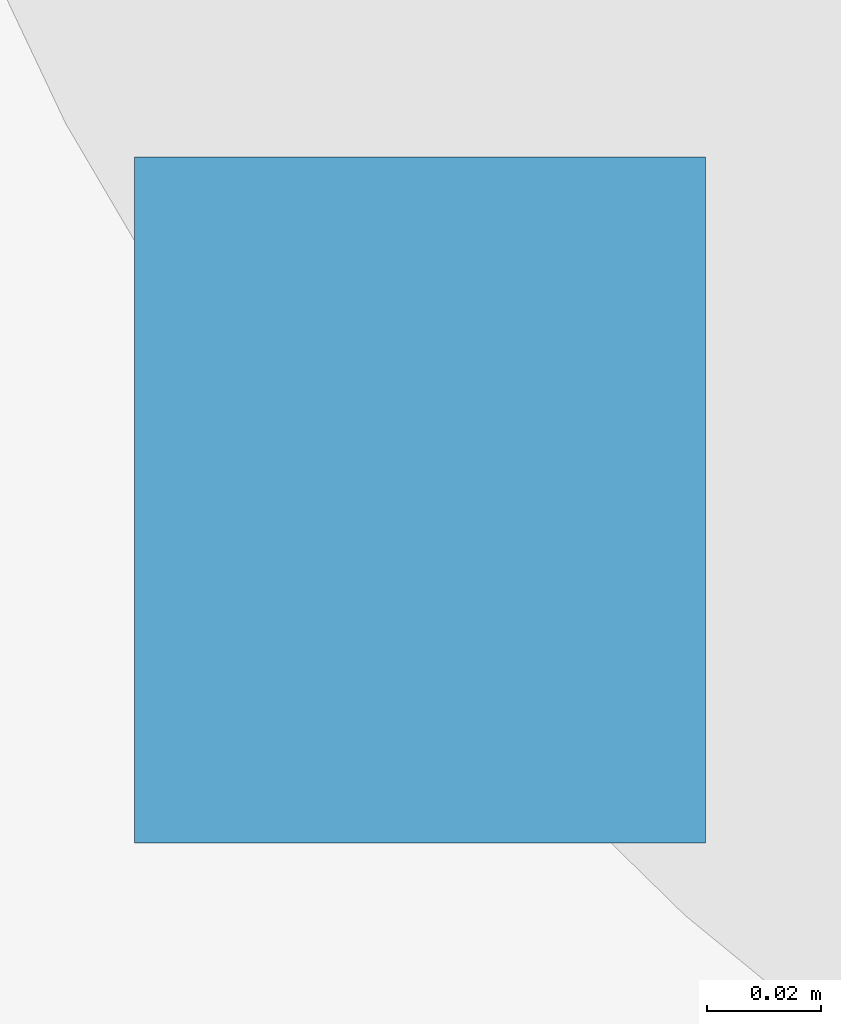
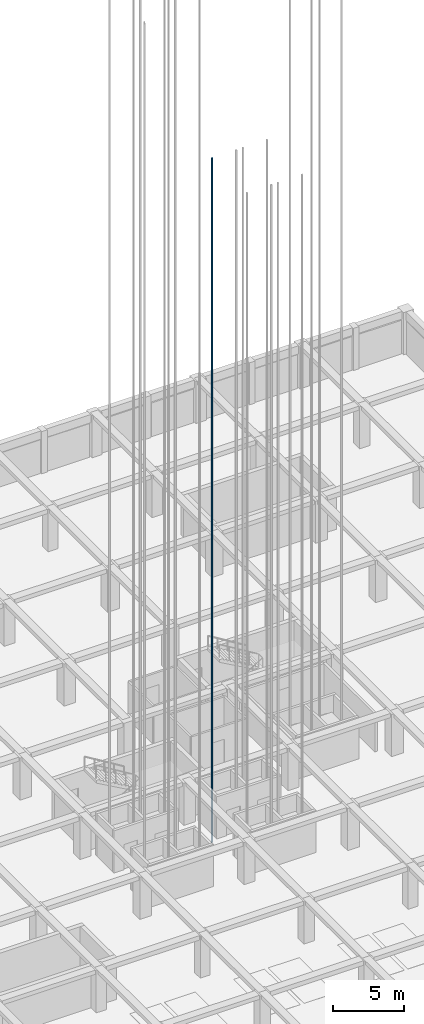
# One storey, part 37 of 47: 1 discrete accessory.
"""IFC4 building model written with IfcOpenShell, lengths in metres."""

import ifcopenshell
import ifcopenshell.guid

model = None  # the IFC model being written
_history = None  # IfcOwnerHistory: only IFC2X3 demands one
_inside = {}  # id of a spatial element -> (the spatial element, [elements in it])
_under = {}  # id of a project, library or spatial element -> (it, [spatial elements below it])
_declared = {}  # id of a project -> (the project, [libraries it declares])
_typed = {}  # id of a type object -> (the type object, [elements of that type])
_made_of = {}  # id of a material, layer set ... -> (it, [elements and type objects made of it])


def new_model(schema):
    """Start an empty IFC model of exactly this schema.

    Asked for "IFC4X3", IfcOpenShell would pick the latest addendum, in which some entities
    have other attributes; the version numbers below select the first issue.
    IFC2X3 requires an IfcOwnerHistory on every rooted entity: one is made here for all.
    """
    global model, _history
    if schema == "IFC4X3":
        model = ifcopenshell.file(schema_version=(4, 3, 0, 0))
    else:
        model = ifcopenshell.file(schema=schema)
    _inside.clear()
    _under.clear()
    _declared.clear()
    _typed.clear()
    _made_of.clear()
    _history = None
    if model.schema == "IFC2X3":
        org = make("IfcOrganization", Name="unknown")
        user = make(
            "IfcPersonAndOrganization",
            ThePerson=make("IfcPerson", FamilyName="unknown"),
            TheOrganization=org,
        )
        app = make(
            "IfcApplication",
            ApplicationDeveloper=org,
            Version="unknown",
            ApplicationFullName="unknown",
            ApplicationIdentifier="unknown",
        )
        _history = make(
            "IfcOwnerHistory",
            OwningUser=user,
            OwningApplication=app,
            ChangeAction="ADDED",
            CreationDate=0,
        )
    return model


def make(cls, **values):
    """One entity of the class cls with the attributes given. An attribute that is None is left unset."""
    return model.create_entity(
        cls, **{name: value for name, value in values.items() if value is not None}
    )


def rooted(cls, **values):
    """An entity with a GlobalId (a new one), such as an element, a storey or a relation."""
    return make(cls, GlobalId=ifcopenshell.guid.new(), OwnerHistory=_history, **values)


def si_unit(unit_type, name, prefix=None):
    """IfcSIUnit, for example si_unit("LENGTHUNIT", "METRE", prefix="MILLI")."""
    return make("IfcSIUnit", UnitType=unit_type, Prefix=prefix, Name=name)


def assignment(units):
    """IfcUnitAssignment: the units of a project."""
    return None if units is None else make("IfcUnitAssignment", Units=units)


def point(xyz):
    """IfcCartesianPoint."""
    return None if xyz is None else make("IfcCartesianPoint", Coordinates=xyz)


def direction(xyz):
    """IfcDirection."""
    return None if xyz is None else make("IfcDirection", DirectionRatios=xyz)


def frame(location, z_axis=None, x_axis=None):
    """IfcAxis2Placement3D, a coordinate frame: its origin and axes. An axis left out is left unset."""
    return make(
        "IfcAxis2Placement3D",
        Location=point(location),
        Axis=direction(z_axis),
        RefDirection=direction(x_axis),
    )


def frame_2d(location, x_axis=None):
    """IfcAxis2Placement2D, a coordinate frame in the plane: its origin and x axis."""
    return make(
        "IfcAxis2Placement2D", Location=point(location), RefDirection=direction(x_axis)
    )


def origin():
    """The frame at (0, 0, 0) with its axes left unset."""
    return frame((0.0, 0.0, 0.0))


def origin_2d():
    """The frame at (0, 0) in the plane with its x axis left unset."""
    return frame_2d((0.0, 0.0))


def place(relative_to, where):
    """IfcLocalPlacement: puts the frame where relative to a parent placement (None: the world)."""
    return make(
        "IfcLocalPlacement", PlacementRelTo=relative_to, RelativePlacement=where
    )


def context(
    kind, dimensions, precision=None, world=None, true_north=None, identifier=None
):
    """IfcGeometricRepresentationContext, for example the 3D "Model" context."""
    return make(
        "IfcGeometricRepresentationContext",
        ContextIdentifier=identifier,
        ContextType=kind,
        CoordinateSpaceDimension=dimensions,
        Precision=precision,
        WorldCoordinateSystem=world,
        TrueNorth=true_north,
    )


def subcontext(parent, identifier, kind, view, scale=None):
    """IfcGeometricRepresentationSubContext, for example "Body" below "Model"."""
    return make(
        "IfcGeometricRepresentationSubContext",
        ContextIdentifier=identifier,
        ContextType=kind,
        ParentContext=parent,
        TargetScale=scale,
        TargetView=view,
    )


def project(units=None, contexts=None):
    """IfcProject with its units and contexts."""
    return rooted(
        "IfcProject",
        Name="project",
        RepresentationContexts=contexts,
        UnitsInContext=assignment(units),
    )


def spatial(cls, under=None, at=None, **own):
    """A site, building, storey or space (cls), placed at a placement, below another one or the project."""
    s = rooted(cls, ObjectPlacement=at, **own)
    if under is not None:
        _under.setdefault(under.id(), (under, []))[1].append(s)
    return s


def profile(cls, at=None, kind="AREA", **sizes):
    """A parametric profile (cls). Its sizes go by their IFC names, for example OverallWidth=200.0."""
    return make(cls, ProfileType=kind, Position=at, **sizes)


def rectangle(**sizes):
    """IfcRectangleProfileDef."""
    return profile("IfcRectangleProfileDef", **sizes)


def extrude(swept, where, along, depth):
    """IfcExtrudedAreaSolid: the profile swept, set in the frame where, extruded along a direction by depth."""
    return make(
        "IfcExtrudedAreaSolid",
        SweptArea=swept,
        Position=where,
        ExtrudedDirection=direction(along),
        Depth=depth,
    )


def shape(context_of_items, identifier, shape_type, items):
    """IfcShapeRepresentation: the items that make up one representation, for example the "Body"."""
    return make(
        "IfcShapeRepresentation",
        ContextOfItems=context_of_items,
        RepresentationIdentifier=identifier,
        RepresentationType=shape_type,
        Items=items,
    )


def material(Name=None, Category=None):
    """IfcMaterial."""
    return make("IfcMaterial", Name=Name, Category=Category)


def layer(
    of_material, thickness, ventilated=None, Name=None, Category=None, Priority=None
):
    """IfcMaterialLayer: one layer of a wall or slab, of a material (None: an air gap)."""
    return make(
        "IfcMaterialLayer",
        Material=of_material,
        LayerThickness=thickness,
        IsVentilated=ventilated,
        Name=Name,
        Category=Category,
        Priority=Priority,
    )


def layer_set(layers, Name=None):
    """IfcMaterialLayerSet."""
    return make("IfcMaterialLayerSet", MaterialLayers=layers, LayerSetName=Name)


def made_of(thing, what):
    """Note that an element or type object is made of a material, layer set ...; save() writes the relation."""
    if what is not None:
        _made_of.setdefault(what.id(), (what, []))[1].append(thing)
    return thing


def type_object(cls, material=None, **own):
    """A type object (cls), such as IfcWallType, which elements share."""
    return made_of(rooted(cls, **own), material)


def element(
    cls,
    number,
    at=None,
    inside=None,
    cuts=None,
    type_object=None,
    material=None,
    context=None,
    identifier="Body",
    shape_type=None,
    held_by="IfcProductDefinitionShape",
    body=None,
    shapes=None,
    **own,
):
    """One element of the class cls, such as IfcWall. Its Tag is "e" and its number.

    at: its placement. inside: the storey or other place that contains it. cuts: it is an
    opening in that element (IfcRelVoidsElement). A single representation is given by context,
    identifier, shape_type and body (its items); several are given by shapes. held_by: the class
    of the entity that holds the representations. save() writes the other relations.
    """
    e = rooted(cls, Tag="e%d" % number, ObjectPlacement=at, **own)
    if body is not None:
        shapes = [shape(context, identifier, shape_type, body)]
    if shapes is not None:
        e.Representation = make(held_by, Representations=shapes)
    if inside is not None:
        _inside.setdefault(inside.id(), (inside, []))[1].append(e)
    if cuts is not None:
        rooted(
            "IfcRelVoidsElement", RelatingBuildingElement=cuts, RelatedOpeningElement=e
        )
    if type_object is not None:
        _typed.setdefault(type_object.id(), (type_object, []))[1].append(e)
    return made_of(e, material)


def aggregate(whole, parts):
    """IfcRelAggregates: a whole, such as a stair, and the parts it consists of."""
    return rooted("IfcRelAggregates", RelatingObject=whole, RelatedObjects=parts)


def save(model, path):
    """Write the relations noted so far, then the file.

    IfcRelAggregates (storeys below a building ...), IfcRelContainedInSpatialStructure (elements
    in a storey), IfcRelDefinesByType, IfcRelAssociatesMaterial and IfcRelDeclares: one each for
    every whole, place, type object, material and project.
    """
    for whole, parts in _under.values():
        aggregate(whole, parts)
    for where, things in _inside.values():
        rooted(
            "IfcRelContainedInSpatialStructure",
            RelatedElements=things,
            RelatingStructure=where,
        )
    for kind, things in _typed.values():
        rooted("IfcRelDefinesByType", RelatedObjects=things, RelatingType=kind)
    for what, things in _made_of.values():
        rooted("IfcRelAssociatesMaterial", RelatedObjects=things, RelatingMaterial=what)
    for by, libraries in _declared.values():
        rooted("IfcRelDeclares", RelatingContext=by, RelatedDefinitions=libraries)
    model.write(path)


model = new_model("IFC4")

# Units and contexts
model_context = context("Model", 3, precision=1e-05, world=origin(), true_north=direction((0.0, 1.0)))
body_context = subcontext(model_context, "Body", "Model", "MODEL_VIEW")
ifc_project = project(units=[si_unit("LENGTHUNIT", "METRE"), si_unit("AREAUNIT", "SQUARE_METRE"), si_unit("VOLUMEUNIT", "CUBIC_METRE"), si_unit("PLANEANGLEUNIT", "RADIAN"), si_unit("MASSUNIT", "GRAM", prefix="KILO")], contexts=[model_context])

# Site, building, storey
site_placement = place(None, origin())
site = spatial("IfcSite", under=ifc_project, at=site_placement, CompositionType="ELEMENT")
building_placement = place(site_placement, origin())
building = spatial("IfcBuilding", under=site, at=building_placement, Name="Almacenes y Pasaje Nevantli", CompositionType="ELEMENT")
storey_placement = place(building_placement, frame((0.0, 0.0, -8.10009765625)))
storey = spatial("IfcBuildingStorey", under=building, at=storey_placement, Name="B02", CompositionType="ELEMENT", Elevation=-8.10009765625)

# Discrete accessory
ifc_material = material(Name="Steel ASTM A36", Category="steel")
ifc_layer = layer(ifc_material, 0.1201171875)
ifc_layer_set = layer_set([ifc_layer], Name="Steel ASTM A36")
discrete_accessory_type = type_object("IfcDiscreteAccessoryType", Name="ACC-LIFT-RAIL", PredefinedType="BRACKET", material=ifc_layer_set)
discrete_accessory_placement = place(storey_placement, frame((127.070068359375, 73.85009765625, -1.199951171875), z_axis=(0.0, 0.0, 1.0), x_axis=(1.0, 0.0, 0.0)))
element("IfcDiscreteAccessory", 1, at=discrete_accessory_placement, inside=storey, type_object=discrete_accessory_type, Name="Elevator Steel T-Section Guide Rail ELV-P03-W", PredefinedType="BRACKET", context=body_context, shape_type="SweptSolid", body=[
    extrude(rectangle(XDim=0.10009765625, YDim=0.1201171875, at=origin_2d()), origin(), (0.0, 0.0, 1.0), 58.5),
])

save(model, "model.ifc")
